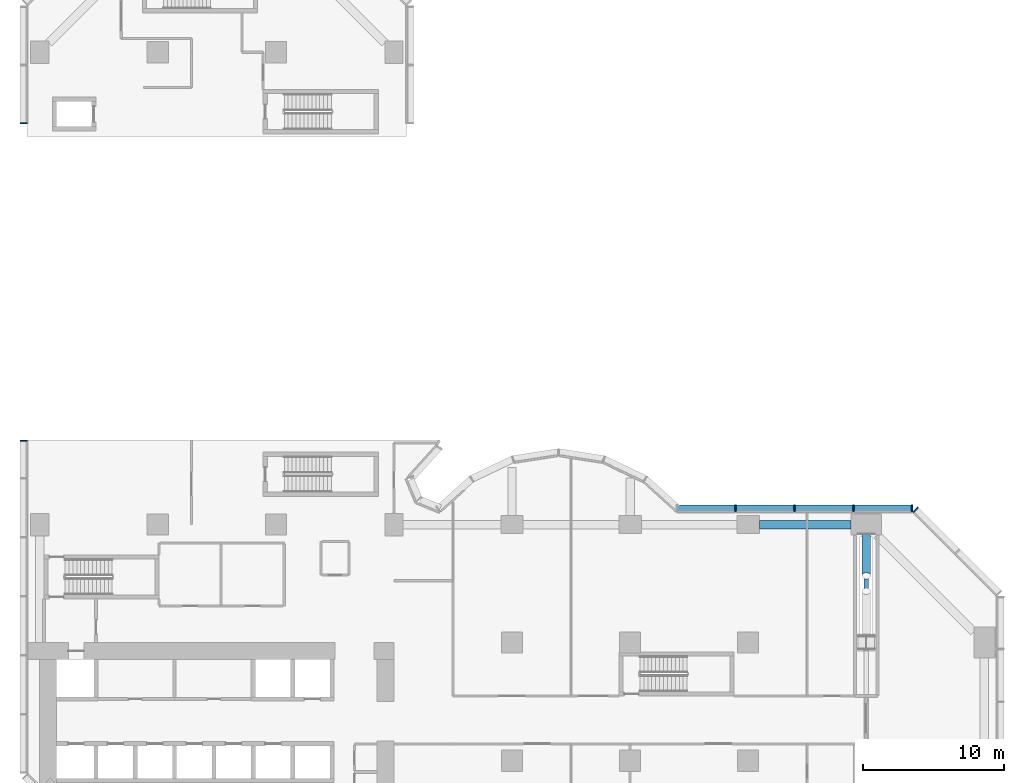
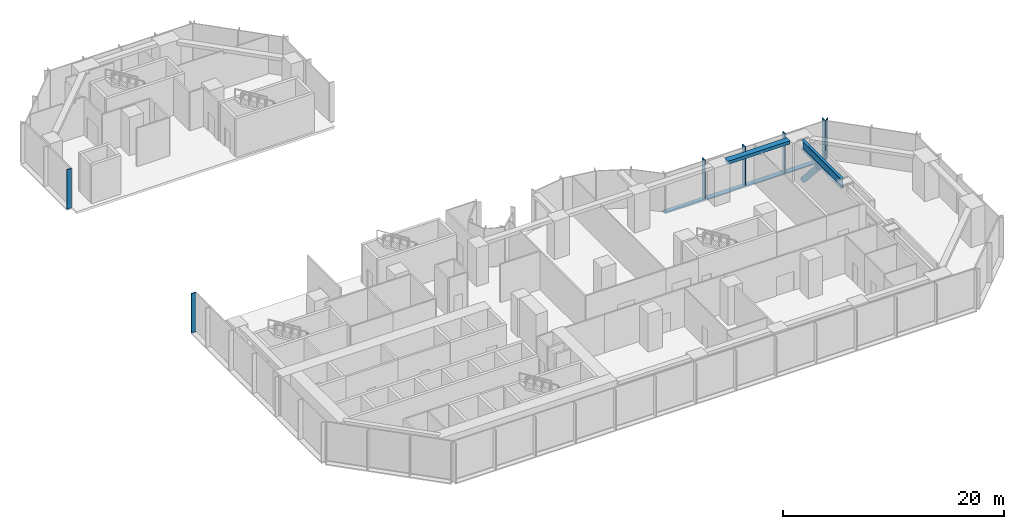
# One storey, part 3 of 18: 10 members, 1 beam, 4 elements without a shape of their own.
"""IFC4 building model written with IfcOpenShell, lengths in metres."""

from ifc_helpers import new_model, si_unit, direction, frame, origin, origin_2d, place, context, subcontext, project, spatial, rectangle, hollow_circle, i_section, extrude, material, material_profile, profile_set, type_object, element, aggregate, save


model = new_model("IFC4")

# Units and contexts
model_context = context("Model", 3, precision=1e-05, world=origin(), true_north=direction((0.0, 1.0)))
body_context = subcontext(model_context, "Body", "Model", "MODEL_VIEW")
ifc_project = project(units=[si_unit("LENGTHUNIT", "METRE"), si_unit("AREAUNIT", "SQUARE_METRE"), si_unit("VOLUMEUNIT", "CUBIC_METRE"), si_unit("PLANEANGLEUNIT", "RADIAN"), si_unit("MASSUNIT", "GRAM", prefix="KILO")], contexts=[model_context])

# Site, building, storey
site_placement = place(None, origin())
site = spatial("IfcSite", under=ifc_project, at=site_placement, CompositionType="ELEMENT")
building_placement = place(site_placement, origin())
building = spatial("IfcBuilding", under=site, at=building_placement, Name="Brevane Broadcast Tower", CompositionType="ELEMENT")
storey_placement = place(building_placement, frame((0.0, 0.0, 27.5)))
storey = spatial("IfcBuildingStorey", under=building, at=storey_placement, Name="L04", CompositionType="ELEMENT", Elevation=27.5)

# Curtain wall, member
ifc_material_1 = material(Name="Aluminium 6063-T6 bronze anodised", Category="aluminium")
curtain_wall_type = type_object("IfcCurtainWallType", Name="CW-2 curtain wall", PredefinedType="NOTDEFINED", material=ifc_material_1)
curtain_wall_1_placement = place(storey_placement, origin())
curtain_wall_1 = element("IfcCurtainWall", 1, at=curtain_wall_1_placement, inside=storey, type_object=curtain_wall_type, Name="CW-2 podium base unit L04 north-east chamfer", PredefinedType="NOTDEFINED")
ifc_material_profile_1 = material_profile(ifc_material_1, rectangle(XDim=0.5, YDim=0.090087890625, at=origin_2d()), Name="RECT 90x500")
ifc_profile_set_1 = profile_set([ifc_material_profile_1], Name="Aluminium 6063-T6 bronze anodised")
member_type_1 = type_object("IfcMemberType", Name="CW-2 mullion 90x500", PredefinedType="MULLION", material=ifc_profile_set_1)
member_1_placement = place(storey_placement, frame((62.30859375, 26.244873046875, -0.1298828125), z_axis=(0.0, 0.0, 1.0), x_axis=(-0.707106781187, -0.707106781187, 0.0)))
member_1 = element("IfcMember", 2, at=member_1_placement, type_object=member_type_1, Name="CW-2 mullion", PredefinedType="MULLION", context=body_context, shape_type="SweptSolid", body=[
    extrude(rectangle(XDim=0.5, YDim=0.090087890625, at=origin_2d()), origin(), (0.0, 0.0, 1.0), 4.3798828125),
])
aggregate(curtain_wall_1, [member_1])

# Curtain wall, members
curtain_wall_2_placement = place(storey_placement, origin())
curtain_wall_2 = element("IfcCurtainWall", 3, at=curtain_wall_2_placement, inside=storey, type_object=curtain_wall_type, Name="CW-2 podium base unit L04 east arm north face", PredefinedType="NOTDEFINED")
member_2_placement = place(storey_placement, frame((62.054931640625, 26.35009765625, -0.1298828125), z_axis=(0.0, 0.0, 1.0), x_axis=(0.0, -1.0, 0.0)))
member_2 = element("IfcMember", 4, at=member_2_placement, type_object=member_type_1, Name="CW-2 mullion", PredefinedType="MULLION", context=body_context, shape_type="SweptSolid", body=[
    extrude(rectangle(XDim=0.5, YDim=0.090087890625, at=origin_2d()), origin(), (0.0, 0.0, 1.0), 4.3798828125),
])
member_3_placement = place(storey_placement, frame((57.89990234375, 26.35009765625, -0.1298828125), z_axis=(0.0, 0.0, 1.0), x_axis=(0.0, -1.0, 0.0)))
member_3 = element("IfcMember", 5, at=member_3_placement, type_object=member_type_1, Name="CW-2 mullion", PredefinedType="MULLION", context=body_context, shape_type="SweptSolid", body=[
    extrude(rectangle(XDim=0.5, YDim=0.090087890625, at=origin_2d()), origin(), (0.0, 0.0, 1.0), 4.3798828125),
])
member_4_placement = place(storey_placement, frame((53.699951171875, 26.35009765625, -0.1298828125), z_axis=(0.0, 0.0, 1.0), x_axis=(0.0, -1.0, 0.0)))
member_4 = element("IfcMember", 6, at=member_4_placement, type_object=member_type_1, Name="CW-2 mullion", PredefinedType="MULLION", context=body_context, shape_type="SweptSolid", body=[
    extrude(rectangle(XDim=0.5, YDim=0.090087890625, at=origin_2d()), origin(), (0.0, 0.0, 1.0), 4.3798828125),
])
member_5_placement = place(storey_placement, frame((49.5, 26.35009765625, -0.1298828125), z_axis=(0.0, 0.0, 1.0), x_axis=(0.0, -1.0, 0.0)))
member_5 = element("IfcMember", 7, at=member_5_placement, type_object=member_type_1, Name="CW-2 mullion", PredefinedType="MULLION", context=body_context, shape_type="SweptSolid", body=[
    extrude(rectangle(XDim=0.5, YDim=0.090087890625, at=origin_2d()), origin(), (0.0, 0.0, 1.0), 4.3798828125),
])

# Curtain wall, member
curtain_wall_3_placement = place(storey_placement, origin())
curtain_wall_3 = element("IfcCurtainWall", 8, at=curtain_wall_3_placement, inside=storey, type_object=curtain_wall_type, Name="CW-2 podium base unit L04 west face", PredefinedType="NOTDEFINED")
member_6_placement = place(storey_placement, frame((-1.14990234375, 53.7451171875, -0.1298828125), z_axis=(0.0, 0.0, 1.0), x_axis=(1.0, 0.0, 0.0)))
member_6 = element("IfcMember", 9, at=member_6_placement, type_object=member_type_1, Name="CW-2 mullion", PredefinedType="MULLION", context=body_context, shape_type="SweptSolid", body=[
    extrude(rectangle(XDim=0.5, YDim=0.090087890625, at=origin_2d()), origin(), (0.0, 0.0, 1.0), 4.3798828125),
])
aggregate(curtain_wall_3, [member_6])

curtain_wall_4_placement = place(storey_placement, origin())
curtain_wall_4 = element("IfcCurtainWall", 10, at=curtain_wall_4_placement, inside=storey, type_object=curtain_wall_type, Name="CW-2 podium base unit L04 west face", PredefinedType="NOTDEFINED")
member_7_placement = place(storey_placement, frame((-1.14990234375, 31.155029296875, -0.1298828125), z_axis=(0.0, 0.0, 1.0), x_axis=(1.0, 0.0, 0.0)))
member_7 = element("IfcMember", 11, at=member_7_placement, type_object=member_type_1, Name="CW-2 mullion", PredefinedType="MULLION", context=body_context, shape_type="SweptSolid", body=[
    extrude(rectangle(XDim=0.5, YDim=0.090087890625, at=origin_2d()), origin(), (0.0, 0.0, 1.0), 4.3798828125),
])
aggregate(curtain_wall_4, [member_7])

# Member
ifc_material_profile_2 = material_profile(ifc_material_1, rectangle(XDim=0.5, YDim=0.1201171875, at=origin_2d()), Name="RECT 120x500")
ifc_profile_set_2 = profile_set([ifc_material_profile_2], Name="Aluminium 6063-T6 bronze anodised")
member_type_2 = type_object("IfcMemberType", Name="CW-2 transom 120x500", PredefinedType="USERDEFINED", material=ifc_profile_set_2)
member_8_placement = place(storey_placement, frame((62.10009765625, 26.35009765625, -0.18994140625), z_axis=(-1.0, 0.0, 0.0), x_axis=(0.0, -1.0, 0.0)))
member_8 = element("IfcMember", 12, at=member_8_placement, type_object=member_type_2, Name="CW-2 transom", ObjectType="TRANSOM", PredefinedType="USERDEFINED", context=body_context, shape_type="SweptSolid", body=[
    extrude(rectangle(XDim=0.5, YDim=0.1201171875, at=origin_2d()), origin(), (0.0, 0.0, 1.0), 16.800048828125),
])

aggregate(curtain_wall_2, [member_2, member_3, member_4, member_5, member_8])

# Beam
ifc_material_2 = material(Name="Concrete C40/50", Category="concrete")
ifc_material_profile_3 = material_profile(ifc_material_2, rectangle(XDim=0.60009765625, YDim=0.35009765625, at=origin_2d()), Name="RC 600x350")
ifc_profile_set_3 = profile_set([ifc_material_profile_3], Name="Concrete C40/50")
beam_type = type_object("IfcBeamType", Name="RC SPANDREL BEAM 600x350 C40/50", PredefinedType="SPANDREL", material=ifc_profile_set_3)
beam_placement = place(storey_placement, frame((57.699951171875, 25.199951171875, 4.074951171875), z_axis=(-1.0, 0.0, 0.0), x_axis=(0.0, -1.0, 0.0)))
element("IfcBeam", 13, at=beam_placement, inside=storey, type_object=beam_type, Name="EB1 L04-8", PredefinedType="SPANDREL", context=body_context, shape_type="SweptSolid", body=[
    extrude(rectangle(XDim=0.60009765625, YDim=0.35009765625, at=origin_2d()), origin(), (0.0, 0.0, 1.0), 6.5),
])

# Members
ifc_material_3 = material(Name="Steel S355", Category="steel")
ifc_material_profile_4 = material_profile(ifc_material_3, hollow_circle(Radius=0.304931640625, WallThickness=0.01611328125, at=origin_2d()), Name="CHS 610x16")
ifc_profile_set_4 = profile_set([ifc_material_profile_4], Name="Steel S355")
member_type_3 = type_object("IfcMemberType", Name="STEEL TRANSFER DIAGONAL CHS 610x16 S355", PredefinedType="BRACE", material=ifc_profile_set_4)
member_9_placement = place(storey_placement, frame((58.800048828125, 24.33935546875, -0.0654296875), z_axis=(0.0, -0.66472991049, 0.7470837611), x_axis=(1.0, 0.0, 0.0)))
element("IfcMember", 14, at=member_9_placement, inside=storey, type_object=member_type_3, Name="TD3 3", PredefinedType="BRACE", context=body_context, shape_type="SweptSolid", body=[
    extrude(hollow_circle(Radius=0.304931640625, WallThickness=0.01611328125, at=origin_2d()), origin(), (0.0, 0.0, 1.0), 4.179931640625),
])
ifc_material_profile_5 = material_profile(ifc_material_3, i_section(OverallWidth=0.300048828125, OverallDepth=1.0, WebThickness=0.01904296875, FlangeThickness=0.035888671875, FilletRadius=0.030029296875, at=origin_2d()), Name="HE 1000 B")
ifc_profile_set_5 = profile_set([ifc_material_profile_5], Name="Steel S355")
member_type_4 = type_object("IfcMemberType", Name="STEEL TRANSFER TOP CHORD HE 1000 B S355", PredefinedType="CHORD", material=ifc_profile_set_5)
member_10_placement = place(storey_placement, frame((58.800048828125, 17.27392578125, 3.75), z_axis=(0.0, 1.0, 0.0), x_axis=(-1.0, 0.0, 0.0)))
element("IfcMember", 15, at=member_10_placement, inside=storey, type_object=member_type_4, Name="TC2 top 3", PredefinedType="CHORD", context=body_context, shape_type="SweptSolid", body=[
    extrude(i_section(OverallWidth=0.300048828125, OverallDepth=1.0, WebThickness=0.01904296875, FlangeThickness=0.035888671875, FilletRadius=0.030029296875, at=origin_2d()), origin(), (0.0, 0.0, 1.0), 7.22607421875),
])

save(model, "model.ifc")
